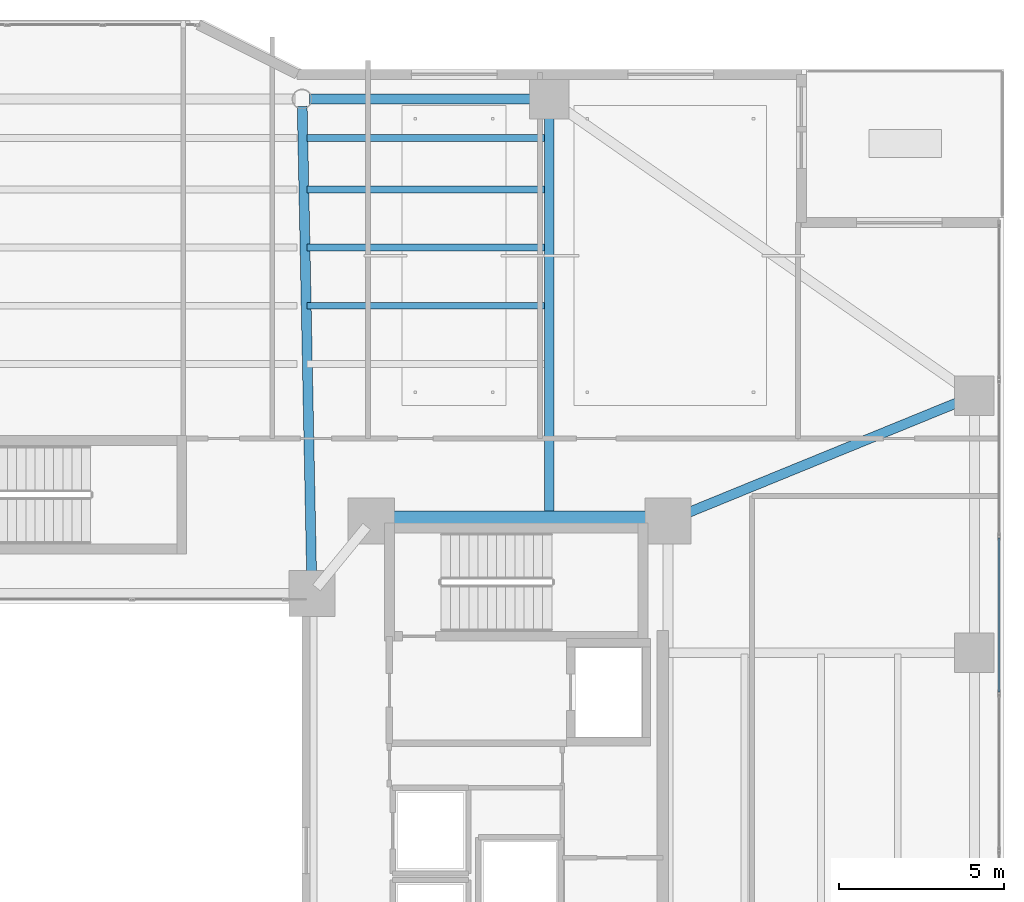
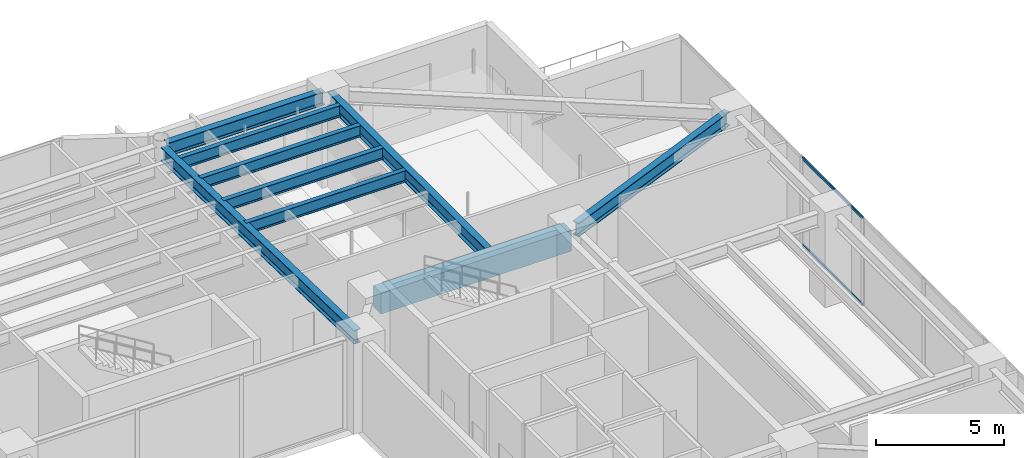
# One storey, part 25 of 39: 9 beams, 2 members, 1 element without a shape of its own.
"""IFC4 building model written with IfcOpenShell, lengths in metres."""

from ifc_helpers import new_model, si_unit, direction, frame, origin, origin_2d, place, context, subcontext, project, spatial, rectangle, hollow_rectangle, i_section, extrude, material, layer, layer_set, material_profile, profile_set, type_object, element, aggregate, save


model = new_model("IFC4")

# Units and contexts
model_context = context("Model", 3, precision=1e-05, world=origin(), true_north=direction((0.0, 1.0)))
body_context = subcontext(model_context, "Body", "Model", "MODEL_VIEW")
ifc_project = project(units=[si_unit("LENGTHUNIT", "METRE"), si_unit("AREAUNIT", "SQUARE_METRE"), si_unit("VOLUMEUNIT", "CUBIC_METRE"), si_unit("PLANEANGLEUNIT", "RADIAN"), si_unit("MASSUNIT", "GRAM", prefix="KILO")], contexts=[model_context])

# Site, building, storey
site_placement = place(None, origin())
site = spatial("IfcSite", under=ifc_project, at=site_placement, CompositionType="ELEMENT")
building_placement = place(site_placement, origin())
building = spatial("IfcBuilding", under=site, at=building_placement, Name="Tarnavaz Court Tower", CompositionType="ELEMENT")
storey_placement = place(building_placement, frame((0.0, 0.0, 68.699951171875)))
storey = spatial("IfcBuildingStorey", under=building, at=storey_placement, Name="L18", CompositionType="ELEMENT", Elevation=68.699951171875)

# Beams
ifc_material_1 = material(Name="Concrete C60/75", Category="concrete")
ifc_material_profile_1 = material_profile(ifc_material_1, rectangle(XDim=0.60009765625, YDim=1.0, at=origin_2d()), Name="RC 600X1000")
ifc_profile_set_1 = profile_set([ifc_material_profile_1], Name="Concrete C60/75")
beam_type_1 = type_object("IfcBeamType", Name="BM-CB1000", PredefinedType="LINTEL", material=ifc_profile_set_1)
beam_1_placement = place(storey_placement, frame((18.3798828125, 10.0, 3.699951171875), z_axis=(-1.0, 0.0, 0.0), x_axis=(0.0, -1.0, 0.0)))
element("IfcBeam", 1, at=beam_1_placement, inside=storey, type_object=beam_type_1, Name="L18 Beam IN-CE-NO-CE-NI", PredefinedType="LINTEL", context=body_context, shape_type="SweptSolid", body=[
    extrude(rectangle(XDim=0.60009765625, YDim=1.0, at=origin_2d()), origin(), (0.0, 0.0, 1.0), 8.559814453125),
])
ifc_material_2 = material(Name="Steel S355", Category="steel")
ifc_material_profile_2 = material_profile(ifc_material_2, i_section(OverallWidth=0.300048828125, OverallDepth=0.64990234375, WebThickness=0.01611328125, FlangeThickness=0.031005859375, FilletRadius=0.027099609375, at=origin_2d()), Name="HEB 650")
ifc_profile_set_2 = profile_set([ifc_material_profile_2], Name="Steel S355")
beam_type_2 = type_object("IfcBeamType", Name="BM-G-HEB650", PredefinedType="USERDEFINED", material=ifc_profile_set_2)
beam_2_placement = place(storey_placement, frame((7.795654296875, 8.02001953125, 3.875), z_axis=(-0.020000023066, 0.999799979535, 0.0), x_axis=(-0.999799979535, -0.020000023066, 0.0)))
element("IfcBeam", 2, at=beam_2_placement, inside=storey, type_object=beam_type_2, Name="L18 Beam RG-03", ObjectType="GIRDER", PredefinedType="USERDEFINED", context=body_context, shape_type="SweptSolid", body=[
    extrude(i_section(OverallWidth=0.300048828125, OverallDepth=0.64990234375, WebThickness=0.01611328125, FlangeThickness=0.031005859375, FilletRadius=0.027099609375, at=origin_2d()), origin(), (0.0, 0.0, 1.0), 14.56298828125),
])
beam_3_placement = place(storey_placement, frame((15.0, 10.0400390625, 3.875), z_axis=(0.0, 1.0, 0.0), x_axis=(-1.0, 0.0, 0.0)))
element("IfcBeam", 3, at=beam_3_placement, inside=storey, type_object=beam_type_2, Name="L18 Beam RG-04", ObjectType="GIRDER", PredefinedType="USERDEFINED", context=body_context, shape_type="SweptSolid", body=[
    extrude(i_section(OverallWidth=0.300048828125, OverallDepth=0.64990234375, WebThickness=0.01611328125, FlangeThickness=0.031005859375, FilletRadius=0.027099609375, at=origin_2d()), origin(), (0.0, 0.0, 1.0), 12.5400390625),
])
beam_4_placement = place(storey_placement, frame((18.8037109375, 10.083251953125, 3.875), z_axis=(0.925704761705, 0.378246869329, 0.0), x_axis=(-0.378246869329, 0.925704761705, 0.0)))
element("IfcBeam", 4, at=beam_4_placement, inside=storey, type_object=beam_type_2, Name="L18 Beam RG-12", ObjectType="GIRDER", PredefinedType="USERDEFINED", context=body_context, shape_type="SweptSolid", body=[
    extrude(i_section(OverallWidth=0.300048828125, OverallDepth=0.64990234375, WebThickness=0.01611328125, FlangeThickness=0.031005859375, FilletRadius=0.027099609375, at=origin_2d()), origin(), (0.0, 0.0, 1.0), 9.606201171875),
])
ifc_material_profile_3 = material_profile(ifc_material_2, i_section(OverallWidth=0.2099609375, OverallDepth=0.550048828125, WebThickness=0.010986328125, FlangeThickness=0.01708984375, FilletRadius=0.02392578125, at=origin_2d()), Name="IPE 550")
ifc_profile_set_3 = profile_set([ifc_material_profile_3], Name="Steel S355")
beam_type_3 = type_object("IfcBeamType", Name="BM-J-IPE550", PredefinedType="JOIST", material=ifc_profile_set_3)
for number, where, z_axis, x_axis, name in (
    (5, (7.64990234375, 16.528076171875, 3.925048828125), (1.0, 0.0, 0.0), (0.0, 1.0, 0.0), "L18 Beam JN2-3"),
    (6, (7.64990234375, 18.2919921875, 3.925048828125), (1.0, 0.0, 0.0), (0.0, 1.0, 0.0), "L18 Beam JN3-3"),
    (7, (7.64990234375, 20.055908203125, 3.925048828125), (1.0, 0.0, 0.0), (0.0, 1.0, 0.0), "L18 Beam JN4-3"),
    (8, (7.64990234375, 21.6240234375, 3.925048828125), (1.0, 0.0, 0.0), (0.0, 1.0, 0.0), "L18 Beam JN5-3"),
):
    element("IfcBeam", number, at=place(storey_placement, frame(where, z_axis=z_axis, x_axis=x_axis)), inside=storey, type_object=beam_type_3, Name=name, PredefinedType="JOIST", context=body_context, shape_type="SweptSolid", body=[
        extrude(i_section(OverallWidth=0.2099609375, OverallDepth=0.550048828125, WebThickness=0.010986328125, FlangeThickness=0.01708984375, FilletRadius=0.02392578125, at=origin_2d()), origin(), (0.0, 0.0, 1.0), 7.2001953125),
    ])
ifc_material_profile_4 = material_profile(ifc_material_2, i_section(OverallWidth=0.300048828125, OverallDepth=0.639892578125, WebThickness=0.013427734375, FlangeThickness=0.02587890625, FilletRadius=0.027099609375, at=origin_2d()), Name="HEA 650")
ifc_profile_set_4 = profile_set([ifc_material_profile_4], Name="Steel S355")
beam_type_4 = type_object("IfcBeamType", Name="BM-SP-HEA650", PredefinedType="SPANDREL", material=ifc_profile_set_4)
beam_5_placement = place(storey_placement, frame((7.719970703125, 22.800048828125, 3.880126953125), z_axis=(1.0, 0.0, 0.0), x_axis=(0.0, 1.0, 0.0)))
element("IfcBeam", 9, at=beam_5_placement, inside=storey, type_object=beam_type_4, Name="L18 Beam PR-PN-3-PN-4", PredefinedType="SPANDREL", context=body_context, shape_type="SweptSolid", body=[
    extrude(i_section(OverallWidth=0.300048828125, OverallDepth=0.639892578125, WebThickness=0.013427734375, FlangeThickness=0.02587890625, FilletRadius=0.027099609375, at=origin_2d()), origin(), (0.0, 0.0, 1.0), 7.06005859375),
])

# Curtain wall, members
ifc_material_3 = material(Name="Anodised Aluminium 6063-T6 and Solar Low-E Glazing", Category="aluminium")
ifc_layer = layer(ifc_material_3, 0.199951171875)
ifc_layer_set = layer_set([ifc_layer], Name="Anodised Aluminium 6063-T6 and Solar Low-E Glazing")
curtain_wall_type = type_object("IfcCurtainWallType", Name="CW-SYS-05", PredefinedType="NOTDEFINED", material=ifc_layer_set)
curtain_wall_placement = place(storey_placement, origin())
curtain_wall = element("IfcCurtainWall", 10, at=curtain_wall_placement, inside=storey, type_object=curtain_wall_type, Name="L18 Sky-Portal Curtain Wall 12", PredefinedType="NOTDEFINED")
ifc_material_4 = material(Name="Anodised Aluminium 6063-T6", Category="aluminium")
ifc_material_profile_5 = material_profile(ifc_material_4, hollow_rectangle(XDim=0.06494140625, YDim=0.139892578125, WallThickness=0.00390625, InnerFilletRadius=0.00390625, OuterFilletRadius=0.008056640625, at=origin_2d()), Name="ALU RHS 140X65X4")
ifc_profile_set_5 = profile_set([ifc_material_profile_5], Name="Anodised Aluminium 6063-T6")
member_type = type_object("IfcMemberType", Name="CW-TRN-140", PredefinedType="USERDEFINED", material=ifc_profile_set_5)
member_1_placement = place(storey_placement, frame((28.64990234375, 9.482421875, 0.032470703125), z_axis=(0.0, -1.0, 0.0), x_axis=(1.0, 0.0, 0.0)))
member_1 = element("IfcMember", 11, at=member_1_placement, type_object=member_type, Name="CW transom 3.1", ObjectType="TRANSOM", PredefinedType="USERDEFINED", context=body_context, shape_type="SweptSolid", body=[
    extrude(hollow_rectangle(XDim=0.06494140625, YDim=0.139892578125, WallThickness=0.00390625, InnerFilletRadius=0.00390625, OuterFilletRadius=0.008056640625, at=origin_2d()), origin(), (0.0, 0.0, 1.0), 4.677490234375),
])
member_2_placement = place(storey_placement, frame((28.64990234375, 9.482421875, 4.16748046875), z_axis=(0.0, -1.0, 0.0), x_axis=(1.0, 0.0, 0.0)))
member_2 = element("IfcMember", 12, at=member_2_placement, type_object=member_type, Name="CW transom 3.2", ObjectType="TRANSOM", PredefinedType="USERDEFINED", context=body_context, shape_type="SweptSolid", body=[
    extrude(hollow_rectangle(XDim=0.06494140625, YDim=0.139892578125, WallThickness=0.00390625, InnerFilletRadius=0.00390625, OuterFilletRadius=0.008056640625, at=origin_2d()), origin(), (0.0, 0.0, 1.0), 4.677490234375),
])
aggregate(curtain_wall, [member_1, member_2])

save(model, "model.ifc")
